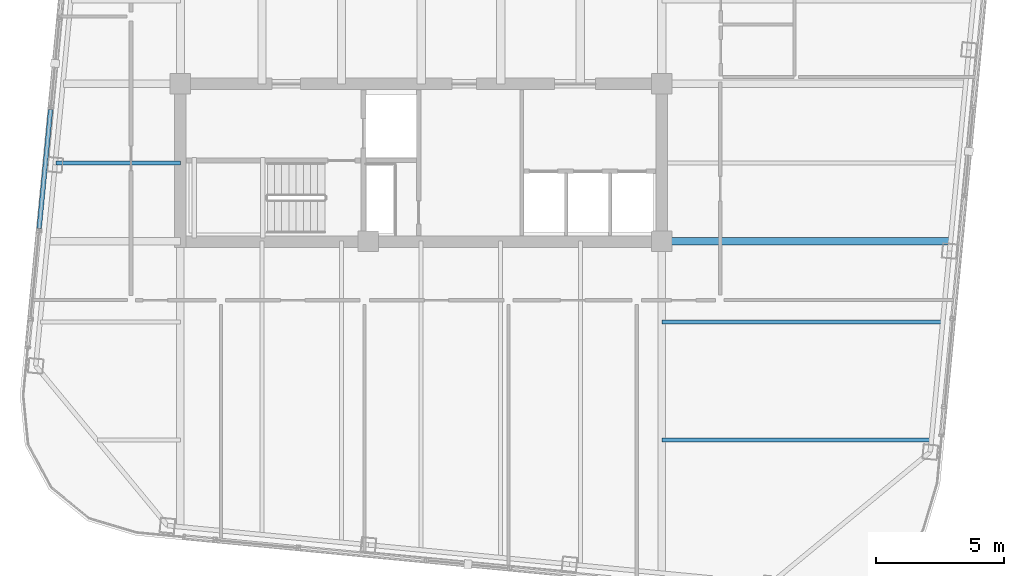
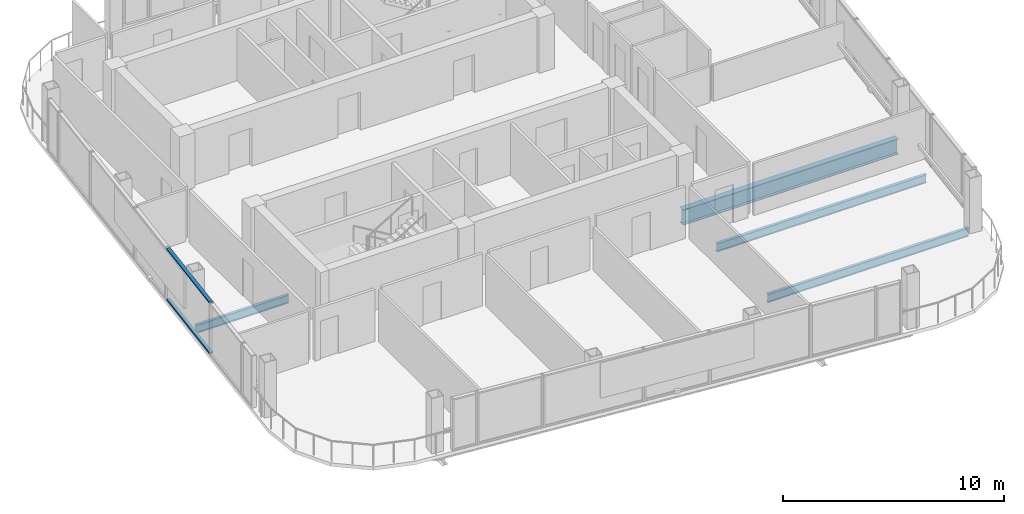
# One storey, part 6 of 27: 4 beams, 2 members, 1 element without a shape of its own.
"""IFC4 building model written with IfcOpenShell, lengths in metres."""

from ifc_helpers import new_model, si_unit, direction, frame, origin, origin_2d, place, context, subcontext, project, spatial, hollow_rectangle, i_section, extrude, material, layer, layer_set, material_profile, profile_set, type_object, element, aggregate, save


model = new_model("IFC4")

# Units and contexts
model_context = context("Model", 3, precision=1e-05, world=origin(), true_north=direction((0.0, 1.0)))
body_context = subcontext(model_context, "Body", "Model", "MODEL_VIEW")
ifc_project = project(units=[si_unit("LENGTHUNIT", "METRE"), si_unit("AREAUNIT", "SQUARE_METRE"), si_unit("VOLUMEUNIT", "CUBIC_METRE"), si_unit("PLANEANGLEUNIT", "RADIAN"), si_unit("MASSUNIT", "GRAM", prefix="KILO")], contexts=[model_context])

# Site, building, storey
site_placement = place(None, origin())
site = spatial("IfcSite", under=ifc_project, at=site_placement, CompositionType="ELEMENT")
building_placement = place(site_placement, origin())
building = spatial("IfcBuilding", under=site, at=building_placement, Name="Qhalaya Broadcast Tower", CompositionType="ELEMENT")
storey_placement = place(building_placement, frame((0.0, 0.0, 258.10009765625)))
storey = spatial("IfcBuildingStorey", under=building, at=storey_placement, Name="L76", CompositionType="ELEMENT", Elevation=258.10009765625)

# Beams
ifc_material_1 = material(Name="Structural Steel ASTM A992 Grade 50", Category="steel")
ifc_material_profile_1 = material_profile(ifc_material_1, i_section(OverallWidth=0.154052734375, OverallDepth=0.458984375, WebThickness=0.009033203125, FlangeThickness=0.015380859375, at=origin_2d()), Name="W18X46")
ifc_profile_set_1 = profile_set([ifc_material_profile_1], Name="Structural Steel ASTM A992 Grade 50")
beam_type_1 = type_object("IfcBeamType", Name="Composite Floor Joist J04", PredefinedType="JOIST", material=ifc_profile_set_1)
beam_1_placement = place(storey_placement, frame((9.375, -16.5, -0.419677734375), z_axis=(1.0, 0.0, 0.0), x_axis=(0.0, 1.0, 0.0)))
element("IfcBeam", 1, at=beam_1_placement, inside=storey, type_object=beam_type_1, Name="L76 J04 L76-JWE1E-1", PredefinedType="JOIST", context=body_context, shape_type="SweptSolid", body=[
    extrude(i_section(OverallWidth=0.154052734375, OverallDepth=0.458984375, WebThickness=0.009033203125, FlangeThickness=0.015380859375, at=origin_2d()), origin(), (0.0, 0.0, 1.0), 10.47802734375),
])
beam_2_placement = place(storey_placement, frame((9.375, -11.89990234375, -0.419677734375), z_axis=(1.0, 0.0, 0.0), x_axis=(0.0, 1.0, 0.0)))
element("IfcBeam", 2, at=beam_2_placement, inside=storey, type_object=beam_type_1, Name="L76 J04 L76-JWE2E-1", PredefinedType="JOIST", context=body_context, shape_type="SweptSolid", body=[
    extrude(i_section(OverallWidth=0.154052734375, OverallDepth=0.458984375, WebThickness=0.009033203125, FlangeThickness=0.015380859375, at=origin_2d()), origin(), (0.0, 0.0, 1.0), 10.9208984375),
])
beam_3_placement = place(storey_placement, frame((-14.228759765625, -5.699951171875, -0.419677734375), z_axis=(1.0, 0.0, 0.0), x_axis=(0.0, 1.0, 0.0)))
element("IfcBeam", 3, at=beam_3_placement, inside=storey, type_object=beam_type_1, Name="L76 J04 L76-JWE3W-1", PredefinedType="JOIST", context=body_context, shape_type="SweptSolid", body=[
    extrude(i_section(OverallWidth=0.154052734375, OverallDepth=0.458984375, WebThickness=0.009033203125, FlangeThickness=0.015380859375, at=origin_2d()), origin(), (0.0, 0.0, 1.0), 4.853759765625),
])

# Curtain wall, members
ifc_material_2 = material(Name="Fired Architectural Terracotta", Category="masonry")
ifc_layer = layer(ifc_material_2, 0.219970703125, Name="Fired Architectural Terracotta")
ifc_layer_set = layer_set([ifc_layer], Name="Fired Architectural Terracotta")
curtain_wall_type = type_object("IfcCurtainWallType", Name="Block-Cap Unitised Terracotta Spandrel Wall CW-07", PredefinedType="NOTDEFINED", material=ifc_layer_set)
curtain_wall_placement = place(storey_placement, origin())
curtain_wall = element("IfcCurtainWall", 4, at=curtain_wall_placement, inside=storey, type_object=curtain_wall_type, Name="L76 Unitised Curtain Wall L76-CW-W5", PredefinedType="NOTDEFINED")
ifc_material_3 = material(Name="Anodised Aluminium 6063-T6", Category="aluminium")
ifc_material_profile_2 = material_profile(ifc_material_3, hollow_rectangle(XDim=0.074951171875, YDim=0.179931640625, WallThickness=0.00390625, at=origin_2d()), Name="ALU-TRN 75x180x4")
ifc_profile_set_2 = profile_set([ifc_material_profile_2], Name="Anodised Aluminium 6063-T6")
member_type = type_object("IfcMemberType", Name="Unitised Curtain-Wall Transom T01", PredefinedType="USERDEFINED", material=ifc_profile_set_2)
member_1_placement = place(storey_placement, frame((-14.4306640625, -3.6220703125, 0.037353515625), z_axis=(-0.095865210868, -0.995394324549, 0.0), x_axis=(0.0, 0.0, 1.0)))
member_1 = element("IfcMember", 5, at=member_1_placement, type_object=member_type, Name="CW-07 transom 1.1", ObjectType="TRANSOM", PredefinedType="USERDEFINED", context=body_context, shape_type="SweptSolid", body=[
    extrude(hollow_rectangle(XDim=0.074951171875, YDim=0.179931640625, WallThickness=0.00390625, at=origin_2d()), origin(), (0.0, 0.0, 1.0), 4.657958984375),
])
member_2_placement = place(storey_placement, frame((-14.4306640625, -3.6220703125, 2.822509765625), z_axis=(-0.095865210868, -0.995394324549, 0.0), x_axis=(0.0, 0.0, 1.0)))
member_2 = element("IfcMember", 6, at=member_2_placement, type_object=member_type, Name="CW-07 transom 1.2", ObjectType="TRANSOM", PredefinedType="USERDEFINED", context=body_context, shape_type="SweptSolid", body=[
    extrude(hollow_rectangle(XDim=0.074951171875, YDim=0.179931640625, WallThickness=0.00390625, at=origin_2d()), origin(), (0.0, 0.0, 1.0), 4.657958984375),
])
aggregate(curtain_wall, [member_1, member_2])

# Beam
ifc_material_profile_3 = material_profile(ifc_material_1, i_section(OverallWidth=0.2919921875, OverallDepth=0.85888671875, WebThickness=0.01708984375, FlangeThickness=0.031005859375, at=origin_2d()), Name="W33X169")
ifc_profile_set_3 = profile_set([ifc_material_profile_3], Name="Structural Steel ASTM A992 Grade 50")
beam_type_2 = type_object("IfcBeamType", Name="Upper Block Primary Girder PG4", PredefinedType="USERDEFINED", material=ifc_profile_set_3)
beam_4_placement = place(storey_placement, frame((9.375, -8.75, -0.61962890625), z_axis=(1.0, 0.0, 0.0), x_axis=(0.0, 1.0, 0.0)))
element("IfcBeam", 7, at=beam_4_placement, inside=storey, type_object=beam_type_2, Name="L76 PG4 L76-PGYE1-1", ObjectType="GIRDER", PredefinedType="USERDEFINED", context=body_context, shape_type="SweptSolid", body=[
    extrude(i_section(OverallWidth=0.2919921875, OverallDepth=0.85888671875, WebThickness=0.01708984375, FlangeThickness=0.031005859375, at=origin_2d()), origin(), (0.0, 0.0, 1.0), 11.22412109375),
])

save(model, "model.ifc")
